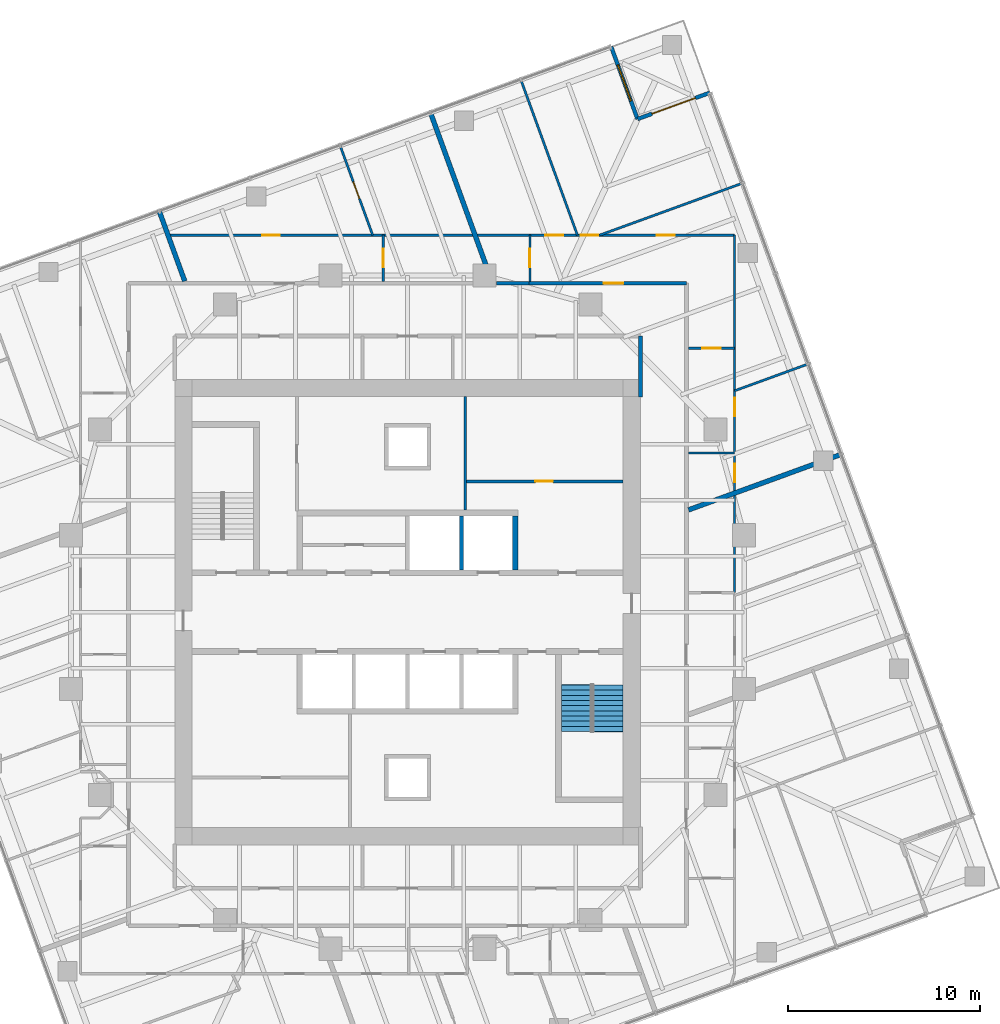
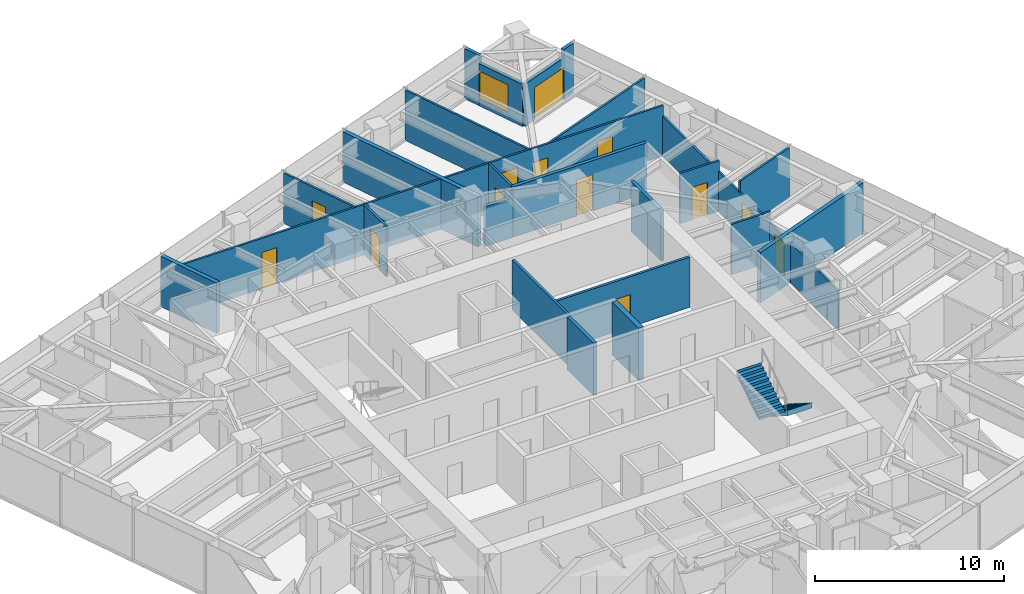
# One storey, part 11 of 13: 24 walls, 13 doors, 2 stair flights, 1 window, 14 openings, 1 element without a shape of its own.
"""IFC4 building model written with IfcOpenShell, lengths in metres."""

import ifcopenshell
import ifcopenshell.guid

model = None  # the IFC model being written
_history = None  # IfcOwnerHistory: only IFC2X3 demands one
_inside = {}  # id of a spatial element -> (the spatial element, [elements in it])
_under = {}  # id of a project, library or spatial element -> (it, [spatial elements below it])
_declared = {}  # id of a project -> (the project, [libraries it declares])
_typed = {}  # id of a type object -> (the type object, [elements of that type])
_made_of = {}  # id of a material, layer set ... -> (it, [elements and type objects made of it])


def new_model(schema):
    """Start an empty IFC model of exactly this schema.

    Asked for "IFC4X3", IfcOpenShell would pick the latest addendum, in which some entities
    have other attributes; the version numbers below select the first issue.
    IFC2X3 requires an IfcOwnerHistory on every rooted entity: one is made here for all.
    """
    global model, _history
    if schema == "IFC4X3":
        model = ifcopenshell.file(schema_version=(4, 3, 0, 0))
    else:
        model = ifcopenshell.file(schema=schema)
    _inside.clear()
    _under.clear()
    _declared.clear()
    _typed.clear()
    _made_of.clear()
    _history = None
    if model.schema == "IFC2X3":
        org = make("IfcOrganization", Name="unknown")
        user = make(
            "IfcPersonAndOrganization",
            ThePerson=make("IfcPerson", FamilyName="unknown"),
            TheOrganization=org,
        )
        app = make(
            "IfcApplication",
            ApplicationDeveloper=org,
            Version="unknown",
            ApplicationFullName="unknown",
            ApplicationIdentifier="unknown",
        )
        _history = make(
            "IfcOwnerHistory",
            OwningUser=user,
            OwningApplication=app,
            ChangeAction="ADDED",
            CreationDate=0,
        )
    return model


def make(cls, **values):
    """One entity of the class cls with the attributes given. An attribute that is None is left unset."""
    return model.create_entity(
        cls, **{name: value for name, value in values.items() if value is not None}
    )


def rooted(cls, **values):
    """An entity with a GlobalId (a new one), such as an element, a storey or a relation."""
    return make(cls, GlobalId=ifcopenshell.guid.new(), OwnerHistory=_history, **values)


def si_unit(unit_type, name, prefix=None):
    """IfcSIUnit, for example si_unit("LENGTHUNIT", "METRE", prefix="MILLI")."""
    return make("IfcSIUnit", UnitType=unit_type, Prefix=prefix, Name=name)


def assignment(units):
    """IfcUnitAssignment: the units of a project."""
    return None if units is None else make("IfcUnitAssignment", Units=units)


def point(xyz):
    """IfcCartesianPoint."""
    return None if xyz is None else make("IfcCartesianPoint", Coordinates=xyz)


def direction(xyz):
    """IfcDirection."""
    return None if xyz is None else make("IfcDirection", DirectionRatios=xyz)


def frame(location, z_axis=None, x_axis=None):
    """IfcAxis2Placement3D, a coordinate frame: its origin and axes. An axis left out is left unset."""
    return make(
        "IfcAxis2Placement3D",
        Location=point(location),
        Axis=direction(z_axis),
        RefDirection=direction(x_axis),
    )


def frame_2d(location, x_axis=None):
    """IfcAxis2Placement2D, a coordinate frame in the plane: its origin and x axis."""
    return make(
        "IfcAxis2Placement2D", Location=point(location), RefDirection=direction(x_axis)
    )


def origin():
    """The frame at (0, 0, 0) with its axes left unset."""
    return frame((0.0, 0.0, 0.0))


def place(relative_to, where):
    """IfcLocalPlacement: puts the frame where relative to a parent placement (None: the world)."""
    return make(
        "IfcLocalPlacement", PlacementRelTo=relative_to, RelativePlacement=where
    )


def context(
    kind, dimensions, precision=None, world=None, true_north=None, identifier=None
):
    """IfcGeometricRepresentationContext, for example the 3D "Model" context."""
    return make(
        "IfcGeometricRepresentationContext",
        ContextIdentifier=identifier,
        ContextType=kind,
        CoordinateSpaceDimension=dimensions,
        Precision=precision,
        WorldCoordinateSystem=world,
        TrueNorth=true_north,
    )


def subcontext(parent, identifier, kind, view, scale=None):
    """IfcGeometricRepresentationSubContext, for example "Body" below "Model"."""
    return make(
        "IfcGeometricRepresentationSubContext",
        ContextIdentifier=identifier,
        ContextType=kind,
        ParentContext=parent,
        TargetScale=scale,
        TargetView=view,
    )


def project(units=None, contexts=None):
    """IfcProject with its units and contexts."""
    return rooted(
        "IfcProject",
        Name="project",
        RepresentationContexts=contexts,
        UnitsInContext=assignment(units),
    )


def spatial(cls, under=None, at=None, **own):
    """A site, building, storey or space (cls), placed at a placement, below another one or the project."""
    s = rooted(cls, ObjectPlacement=at, **own)
    if under is not None:
        _under.setdefault(under.id(), (under, []))[1].append(s)
    return s


def polyline(points):
    """IfcPolyline through the points."""
    return make("IfcPolyline", Points=[point(p) for p in points])


def profile(cls, at=None, kind="AREA", **sizes):
    """A parametric profile (cls). Its sizes go by their IFC names, for example OverallWidth=200.0."""
    return make(cls, ProfileType=kind, Position=at, **sizes)


def rectangle(**sizes):
    """IfcRectangleProfileDef."""
    return profile("IfcRectangleProfileDef", **sizes)


def outline(outer, holes=None, kind="AREA"):
    """IfcArbitraryClosedProfileDef: a profile drawn as a closed curve; with holes, ...WithVoids."""
    if holes is None:
        return make("IfcArbitraryClosedProfileDef", ProfileType=kind, OuterCurve=outer)
    return make(
        "IfcArbitraryProfileDefWithVoids",
        ProfileType=kind,
        OuterCurve=outer,
        InnerCurves=holes,
    )


def extrude(swept, where, along, depth):
    """IfcExtrudedAreaSolid: the profile swept, set in the frame where, extruded along a direction by depth."""
    return make(
        "IfcExtrudedAreaSolid",
        SweptArea=swept,
        Position=where,
        ExtrudedDirection=direction(along),
        Depth=depth,
    )


def shape(context_of_items, identifier, shape_type, items):
    """IfcShapeRepresentation: the items that make up one representation, for example the "Body"."""
    return make(
        "IfcShapeRepresentation",
        ContextOfItems=context_of_items,
        RepresentationIdentifier=identifier,
        RepresentationType=shape_type,
        Items=items,
    )


def material(Name=None, Category=None):
    """IfcMaterial."""
    return make("IfcMaterial", Name=Name, Category=Category)


def layer(
    of_material, thickness, ventilated=None, Name=None, Category=None, Priority=None
):
    """IfcMaterialLayer: one layer of a wall or slab, of a material (None: an air gap)."""
    return make(
        "IfcMaterialLayer",
        Material=of_material,
        LayerThickness=thickness,
        IsVentilated=ventilated,
        Name=Name,
        Category=Category,
        Priority=Priority,
    )


def layer_set(layers, Name=None):
    """IfcMaterialLayerSet."""
    return make("IfcMaterialLayerSet", MaterialLayers=layers, LayerSetName=Name)


def made_of(thing, what):
    """Note that an element or type object is made of a material, layer set ...; save() writes the relation."""
    if what is not None:
        _made_of.setdefault(what.id(), (what, []))[1].append(thing)
    return thing


def type_object(cls, material=None, **own):
    """A type object (cls), such as IfcWallType, which elements share."""
    return made_of(rooted(cls, **own), material)


def element(
    cls,
    number,
    at=None,
    inside=None,
    cuts=None,
    type_object=None,
    material=None,
    context=None,
    identifier="Body",
    shape_type=None,
    held_by="IfcProductDefinitionShape",
    body=None,
    shapes=None,
    **own,
):
    """One element of the class cls, such as IfcWall. Its Tag is "e" and its number.

    at: its placement. inside: the storey or other place that contains it. cuts: it is an
    opening in that element (IfcRelVoidsElement). A single representation is given by context,
    identifier, shape_type and body (its items); several are given by shapes. held_by: the class
    of the entity that holds the representations. save() writes the other relations.
    """
    e = rooted(cls, Tag="e%d" % number, ObjectPlacement=at, **own)
    if body is not None:
        shapes = [shape(context, identifier, shape_type, body)]
    if shapes is not None:
        e.Representation = make(held_by, Representations=shapes)
    if inside is not None:
        _inside.setdefault(inside.id(), (inside, []))[1].append(e)
    if cuts is not None:
        rooted(
            "IfcRelVoidsElement", RelatingBuildingElement=cuts, RelatedOpeningElement=e
        )
    if type_object is not None:
        _typed.setdefault(type_object.id(), (type_object, []))[1].append(e)
    return made_of(e, material)


def fill(opening, filler):
    """IfcRelFillsElement: the door or window that sits in an opening."""
    return rooted(
        "IfcRelFillsElement",
        RelatingOpeningElement=opening,
        RelatedBuildingElement=filler,
    )


def aggregate(whole, parts):
    """IfcRelAggregates: a whole, such as a stair, and the parts it consists of."""
    return rooted("IfcRelAggregates", RelatingObject=whole, RelatedObjects=parts)


def save(model, path):
    """Write the relations noted so far, then the file.

    IfcRelAggregates (storeys below a building ...), IfcRelContainedInSpatialStructure (elements
    in a storey), IfcRelDefinesByType, IfcRelAssociatesMaterial and IfcRelDeclares: one each for
    every whole, place, type object, material and project.
    """
    for whole, parts in _under.values():
        aggregate(whole, parts)
    for where, things in _inside.values():
        rooted(
            "IfcRelContainedInSpatialStructure",
            RelatedElements=things,
            RelatingStructure=where,
        )
    for kind, things in _typed.values():
        rooted("IfcRelDefinesByType", RelatedObjects=things, RelatingType=kind)
    for what, things in _made_of.values():
        rooted("IfcRelAssociatesMaterial", RelatedObjects=things, RelatingMaterial=what)
    for by, libraries in _declared.values():
        rooted("IfcRelDeclares", RelatingContext=by, RelatedDefinitions=libraries)
    model.write(path)


model = new_model("IFC4")

# Units and contexts
model_context = context("Model", 3, precision=1e-05, world=origin(), true_north=direction((0.0, 1.0)))
body_context = subcontext(model_context, "Body", "Model", "MODEL_VIEW")
ifc_project = project(units=[si_unit("LENGTHUNIT", "METRE"), si_unit("AREAUNIT", "SQUARE_METRE"), si_unit("VOLUMEUNIT", "CUBIC_METRE"), si_unit("PLANEANGLEUNIT", "RADIAN"), si_unit("MASSUNIT", "GRAM", prefix="KILO")], contexts=[model_context])

# Site, building, storey
site_placement = place(None, origin())
site = spatial("IfcSite", under=ifc_project, at=site_placement, CompositionType="ELEMENT")
building_placement = place(site_placement, origin())
building = spatial("IfcBuilding", under=site, at=building_placement, Name="Torsade Residences", CompositionType="ELEMENT")
storey_placement = place(building_placement, frame((0.0, 0.0, 160.800048828125)))
storey = spatial("IfcBuildingStorey", under=building, at=storey_placement, Name="L44", CompositionType="ELEMENT", Elevation=160.800048828125)

# Wall
ifc_material_1 = material(Name="Concrete 80 MPa", Category="concrete")
ifc_layer_1 = layer(ifc_material_1, 0.300048828125)
ifc_layer_set_1 = layer_set([ifc_layer_1], Name="Concrete 80 MPa")
wall_type_1 = type_object("IfcWallType", Name="CORE INTERNAL WALL 300", PredefinedType="SHEAR", material=ifc_layer_set_1)
wall_1_placement = place(storey_placement, frame((45.60009765625, 32.199951171875, 0.0), z_axis=(0.0, 0.0, 1.0), x_axis=(0.0, 1.0, 0.0)))
element("IfcWall", 1, at=wall_1_placement, inside=storey, type_object=wall_type_1, Name="Core wall DN4 L44", PredefinedType="SHEAR", context=body_context, shape_type="SweptSolid", body=[
    extrude(rectangle(XDim=2.800048828125, YDim=0.300048828125, at=frame_2d((1.39990234375, 0.0))), origin(), (0.0, 0.0, 1.0), 3.39990234375),
])

# Wall, opening, door
ifc_material_2 = material(Name="Plasterboard on steel stud", Category="steel")
ifc_layer_2 = layer(ifc_material_2, 0.199951171875)
ifc_layer_set_2 = layer_set([ifc_layer_2], Name="Plasterboard on steel stud")
wall_type_2 = type_object("IfcWallType", Name="CORRIDOR WALL 200", PredefinedType="PARTITIONING", material=ifc_layer_set_2)
wall_2_placement = place(storey_placement, frame((54.5, 47.10009765625, 0.0), z_axis=(0.0, 0.0, 1.0), x_axis=(-1.0, 0.0, 0.0)))
wall_2 = element("IfcWall", 2, at=wall_2_placement, inside=storey, type_object=wall_type_2, Name="Corridor wall L44", PredefinedType="PARTITIONING", context=body_context, shape_type="SweptSolid", body=[
    extrude(rectangle(XDim=8.191650390625, YDim=0.199951171875, at=frame_2d((4.095703125, 0.0))), origin(), (0.0, 0.0, 1.0), 3.25),
])
opening_1_placement = place(wall_2_placement, frame((3.28466796875, 0.0, 0.0)))
opening_1 = element("IfcOpeningElement", 3, at=opening_1_placement, cuts=wall_2, Name="Opening D01", PredefinedType="OPENING", context=body_context, shape_type="SweptSolid", body=[
    extrude(rectangle(XDim=1.02001953125, YDim=2.340087890625, at=frame_2d((0.510009765625, 1.169921875))), frame((0.0, 0.10986328125, 0.0), z_axis=(0.0, -1.0, 0.0), x_axis=(1.0, 0.0, 0.0)), (0.0, 0.0, 1.0), 0.219970703125),
])
ifc_material_3 = material(Name="Solid-core timber fire door", Category="wood")
door_type_1 = type_object("IfcDoorType", Name="APARTMENT ENTRY DOOR 1020x2340", OperationType="NOTDEFINED", PredefinedType="DOOR", material=ifc_material_3)
door_1_placement = place(opening_1_placement, origin())
door_1 = element("IfcDoor", 4, at=door_1_placement, inside=storey, type_object=door_type_1, Name="Door Residential corridor to Kitchen and dining", OperationType="SINGLE_SWING_RIGHT", OverallHeight=2.340087890625, OverallWidth=1.02001953125, PredefinedType="DOOR", context=body_context, shape_type="SweptSolid", body=[
    extrude(rectangle(XDim=1.02001953125, YDim=2.340087890625, at=frame_2d((0.510009765625, 1.169921875))), frame((0.0, 0.02490234375, 0.0), z_axis=(0.0, -1.0, 0.0), x_axis=(1.0, 0.0, 0.0)), (0.0, 0.0, 1.0), 0.050048828125),
])
fill(opening_1, door_1)

# Walls
wall_3_placement = place(storey_placement, frame((46.308349609375, 47.10009765625, 0.0), z_axis=(0.0, 0.0, 1.0), x_axis=(-1.0, 0.0, 0.0)))
element("IfcWall", 5, at=wall_3_placement, inside=storey, type_object=wall_type_2, Name="Corridor wall L44", PredefinedType="PARTITIONING", context=body_context, shape_type="SweptSolid", body=[
    extrude(rectangle(XDim=1.683349609375, YDim=0.199951171875, at=frame_2d((0.841796875, 0.0))), origin(), (0.0, 0.0, 1.0), 2.550048828125),
])
wall_4_placement = place(storey_placement, frame((52.10009765625, 41.179931640625, 0.0), z_axis=(0.0, 0.0, 1.0), x_axis=(0.0, 1.0, 0.0)))
element("IfcWall", 6, at=wall_4_placement, inside=storey, type_object=wall_type_2, Name="Corridor wall L44", PredefinedType="PARTITIONING", context=body_context, shape_type="SweptSolid", body=[
    extrude(rectangle(XDim=3.170166015625, YDim=0.199951171875, at=frame_2d((1.5849609375, 0.0))), origin(), (0.0, 0.0, 1.0), 3.25),
])
ifc_material_4 = material(Name="Reinforced blockwork", Category="masonry")
ifc_layer_3 = layer(ifc_material_4, 0.199951171875)
ifc_layer_set_3 = layer_set([ifc_layer_3], Name="Reinforced blockwork")
wall_type_3 = type_object("IfcWallType", Name="LIFT SHAFT DIVIDING WALL 200", PredefinedType="SOLIDWALL", material=ifc_layer_set_3)
wall_5_placement = place(storey_placement, frame((42.800048828125, 32.199951171875, 0.0), z_axis=(0.0, 0.0, 1.0), x_axis=(0.0, 1.0, 0.0)))
element("IfcWall", 7, at=wall_5_placement, inside=storey, type_object=wall_type_3, Name="Core wall DN3 L44", PredefinedType="SOLIDWALL", context=body_context, shape_type="SweptSolid", body=[
    extrude(rectangle(XDim=2.800048828125, YDim=0.199951171875, at=frame_2d((1.39990234375, 0.0))), origin(), (0.0, 0.0, 1.0), 3.39990234375),
])

# Wall, openings, doors
ifc_material_5 = material(Name="Plasterboard on steel stud", Category="steel")
ifc_layer_4 = layer(ifc_material_5, 0.1201171875)
ifc_layer_set_4 = layer_set([ifc_layer_4], Name="Plasterboard on steel stud")
wall_type_4 = type_object("IfcWallType", Name="PARTITION 120", PredefinedType="PARTITIONING", material=ifc_layer_set_4)
wall_6_placement = place(storey_placement, frame((57.0, 49.60009765625, 0.0), z_axis=(0.0, 0.0, 1.0), x_axis=(0.0, -1.0, 0.0)))
wall_6 = element("IfcWall", 8, at=wall_6_placement, inside=storey, type_object=wall_type_4, Name="Partition L44", PredefinedType="PARTITIONING", context=body_context, shape_type="SweptSolid", body=[
    extrude(rectangle(XDim=18.588623046875, YDim=0.1201171875, at=frame_2d((9.29443359375, 0.0))), origin(), (0.0, 0.0, 1.0), 2.550048828125),
])
opening_2_placement = place(wall_6_placement, frame((8.45166015625, 0.0, 0.0)))
opening_2 = element("IfcOpeningElement", 9, at=opening_2_placement, cuts=wall_6, Name="Opening D05", PredefinedType="OPENING", context=body_context, shape_type="SweptSolid", body=[
    extrude(rectangle(XDim=0.9599609375, YDim=2.10009765625, at=frame_2d((0.47998046875, 1.050048828125))), frame((0.0, 0.070068359375, 0.0), z_axis=(0.0, -1.0, 0.0), x_axis=(1.0, 0.0, 0.0)), (0.0, 0.0, 1.0), 0.14013671875),
])
opening_3_placement = place(wall_6_placement, frame((11.888671875, 0.0, 0.0)))
opening_3 = element("IfcOpeningElement", 10, at=opening_3_placement, cuts=wall_6, Name="Opening D05", PredefinedType="OPENING", context=body_context, shape_type="SweptSolid", body=[
    extrude(rectangle(XDim=0.9599609375, YDim=2.10009765625, at=frame_2d((0.47998046875, 1.050048828125))), frame((0.0, 0.070068359375, 0.0), z_axis=(0.0, -1.0, 0.0), x_axis=(1.0, 0.0, 0.0)), (0.0, 0.0, 1.0), 0.14013671875),
])
ifc_material_6 = material(Name="Hollow-core timber door in a steel cavity frame", Category="steel")
door_type_2 = type_object("IfcDoorType", Name="BATHROOM CAVITY SLIDING DOOR 960", OperationType="SLIDING_TO_LEFT", PredefinedType="DOOR", material=ifc_material_6)
door_2_placement = place(opening_2_placement, origin())
door_2 = element("IfcDoor", 11, at=door_2_placement, inside=storey, type_object=door_type_2, Name="Door Bathroom to Bedroom 3", OperationType="SLIDING_TO_LEFT", OverallHeight=2.10009765625, OverallWidth=0.9599609375, PredefinedType="DOOR", context=body_context, shape_type="SweptSolid", body=[
    extrude(rectangle(XDim=0.9599609375, YDim=2.10009765625, at=frame_2d((0.47998046875, 1.050048828125))), frame((0.0, 0.02490234375, 0.0), z_axis=(0.0, -1.0, 0.0), x_axis=(1.0, 0.0, 0.0)), (0.0, 0.0, 1.0), 0.050048828125),
])
fill(opening_2, door_2)
door_3_placement = place(opening_3_placement, origin())
door_3 = element("IfcDoor", 12, at=door_3_placement, inside=storey, type_object=door_type_2, Name="Door Bedroom 3 to Ensuite", OperationType="SLIDING_TO_LEFT", OverallHeight=2.10009765625, OverallWidth=0.9599609375, PredefinedType="DOOR", context=body_context, shape_type="SweptSolid", body=[
    extrude(rectangle(XDim=0.9599609375, YDim=2.10009765625, at=frame_2d((0.47998046875, 1.050048828125))), frame((0.0, 0.02490234375, 0.0), z_axis=(0.0, -1.0, 0.0), x_axis=(1.0, 0.0, 0.0)), (0.0, 0.0, 1.0), 0.050048828125),
])
fill(opening_3, door_3)

# Wall, opening, door
wall_7_placement = place(storey_placement, frame((57.0, 43.712158203125, 0.0), z_axis=(0.0, 0.0, 1.0), x_axis=(-1.0, 0.0, 0.0)))
wall_7 = element("IfcWall", 13, at=wall_7_placement, inside=storey, type_object=wall_type_4, Name="Partition L44", PredefinedType="PARTITIONING", context=body_context, shape_type="SweptSolid", body=[
    extrude(rectangle(XDim=2.39990234375, YDim=0.1201171875, at=frame_2d((1.199951171875, 0.0))), origin(), (0.0, 0.0, 1.0), 3.25),
])
opening_4_placement = place(wall_7_placement, frame((0.719970703125, 0.0, 0.0)))
opening_4 = element("IfcOpeningElement", 14, at=opening_4_placement, cuts=wall_7, Name="Opening D05", PredefinedType="OPENING", context=body_context, shape_type="SweptSolid", body=[
    extrude(rectangle(XDim=0.9599609375, YDim=2.10009765625, at=frame_2d((0.47998046875, 1.050048828125))), frame((0.0, 0.070068359375, 0.0), z_axis=(0.0, -1.0, 0.0), x_axis=(1.0, 0.0, 0.0)), (0.0, 0.0, 1.0), 0.14013671875),
])
door_4_placement = place(opening_4_placement, origin())
door_4 = element("IfcDoor", 15, at=door_4_placement, inside=storey, type_object=door_type_2, Name="Door Kitchen and dining to Bathroom", OperationType="SLIDING_TO_LEFT", OverallHeight=2.10009765625, OverallWidth=0.9599609375, PredefinedType="DOOR", context=body_context, shape_type="SweptSolid", body=[
    extrude(rectangle(XDim=0.9599609375, YDim=2.10009765625, at=frame_2d((0.47998046875, 1.050048828125))), frame((0.0, 0.02490234375, 0.0), z_axis=(0.0, -1.0, 0.0), x_axis=(1.0, 0.0, 0.0)), (0.0, 0.0, 1.0), 0.050048828125),
])
fill(opening_4, door_4)

wall_8_placement = place(storey_placement, frame((46.360595703125, 47.199951171875, 0.0), z_axis=(0.0, 0.0, 1.0), x_axis=(0.0, 1.0, 0.0)))
wall_8 = element("IfcWall", 16, at=wall_8_placement, inside=storey, type_object=wall_type_4, Name="Partition L44", PredefinedType="PARTITIONING", context=body_context, shape_type="SweptSolid", body=[
    extrude(rectangle(XDim=2.400146484375, YDim=0.1201171875, at=frame_2d((1.2001953125, 0.0))), origin(), (0.0, 0.0, 1.0), 3.25),
])
opening_5_placement = place(wall_8_placement, frame((0.719970703125, 0.0, 0.0)))
opening_5 = element("IfcOpeningElement", 17, at=opening_5_placement, cuts=wall_8, Name="Opening D05", PredefinedType="OPENING", context=body_context, shape_type="SweptSolid", body=[
    extrude(rectangle(XDim=0.9599609375, YDim=2.10009765625, at=frame_2d((0.47998046875, 1.050048828125))), frame((0.0, 0.070068359375, 0.0), z_axis=(0.0, -1.0, 0.0), x_axis=(1.0, 0.0, 0.0)), (0.0, 0.0, 1.0), 0.14013671875),
])
door_5_placement = place(opening_5_placement, origin())
door_5 = element("IfcDoor", 18, at=door_5_placement, inside=storey, type_object=door_type_2, Name="Door Kitchen and dining to Laundry", OperationType="SLIDING_TO_LEFT", OverallHeight=2.10009765625, OverallWidth=0.9599609375, PredefinedType="DOOR", context=body_context, shape_type="SweptSolid", body=[
    extrude(rectangle(XDim=0.9599609375, YDim=2.10009765625, at=frame_2d((0.47998046875, 1.050048828125))), frame((0.0, 0.02490234375, 0.0), z_axis=(0.0, -1.0, 0.0), x_axis=(1.0, 0.0, 0.0)), (0.0, 0.0, 1.0), 0.050048828125),
])
fill(opening_5, door_5)

# Wall, openings, doors
wall_9_placement = place(storey_placement, frame((27.54541015625, 49.60009765625, 0.0), z_axis=(0.0, 0.0, 1.0), x_axis=(1.0, 0.0, 0.0)))
wall_9 = element("IfcWall", 19, at=wall_9_placement, inside=storey, type_object=wall_type_4, Name="Partition L44", PredefinedType="PARTITIONING", context=body_context, shape_type="SweptSolid", body=[
    extrude(rectangle(XDim=29.45458984375, YDim=0.1201171875, at=frame_2d((14.727294921875, 0.0))), origin(), (0.0, 0.0, 1.0), 3.25),
])
opening_6_placement = place(wall_9_placement, frame((4.887451171875, 0.0, 0.0)))
opening_6 = element("IfcOpeningElement", 20, at=opening_6_placement, cuts=wall_9, Name="Opening D02", PredefinedType="OPENING", context=body_context, shape_type="SweptSolid", body=[
    extrude(rectangle(XDim=0.919921875, YDim=2.340087890625, at=frame_2d((0.4599609375, 1.169921875))), frame((0.0, 0.070068359375, 0.0), z_axis=(0.0, -1.0, 0.0), x_axis=(1.0, 0.0, 0.0)), (0.0, 0.0, 1.0), 0.14013671875),
])
opening_7_placement = place(wall_9_placement, frame((25.418212890625, 0.0, 0.0)))
opening_7 = element("IfcOpeningElement", 21, at=opening_7_placement, cuts=wall_9, Name="Opening D02", PredefinedType="OPENING", context=body_context, shape_type="SweptSolid", body=[
    extrude(rectangle(XDim=0.919921875, YDim=2.340087890625, at=frame_2d((0.4599609375, 1.169921875))), frame((0.0, 0.070068359375, 0.0), z_axis=(0.0, -1.0, 0.0), x_axis=(1.0, 0.0, 0.0)), (0.0, 0.0, 1.0), 0.14013671875),
])
opening_8_placement = place(wall_9_placement, frame((19.615966796875, 0.0, 0.0)))
opening_8 = element("IfcOpeningElement", 22, at=opening_8_placement, cuts=wall_9, Name="Opening D02", PredefinedType="OPENING", context=body_context, shape_type="SweptSolid", body=[
    extrude(rectangle(XDim=0.919921875, YDim=2.340087890625, at=frame_2d((0.4599609375, 1.169921875))), frame((0.0, 0.070068359375, 0.0), z_axis=(0.0, -1.0, 0.0), x_axis=(1.0, 0.0, 0.0)), (0.0, 0.0, 1.0), 0.14013671875),
])
opening_9_placement = place(wall_9_placement, frame((21.452392578125, 0.0, 0.0)))
opening_9 = element("IfcOpeningElement", 23, at=opening_9_placement, cuts=wall_9, Name="Opening D02", PredefinedType="OPENING", context=body_context, shape_type="SweptSolid", body=[
    extrude(rectangle(XDim=0.919921875, YDim=2.340087890625, at=frame_2d((0.4599609375, 1.169921875))), frame((0.0, 0.070068359375, 0.0), z_axis=(0.0, -1.0, 0.0), x_axis=(1.0, 0.0, 0.0)), (0.0, 0.0, 1.0), 0.14013671875),
])
ifc_material_7 = material(Name="Hollow-core timber door", Category="wood")
door_type_3 = type_object("IfcDoorType", Name="INTERNAL DOOR 920x2340", OperationType="NOTDEFINED", PredefinedType="DOOR", material=ifc_material_7)
door_6_placement = place(opening_6_placement, origin())
door_6 = element("IfcDoor", 24, at=door_6_placement, inside=storey, type_object=door_type_3, Name="Door Kitchen and dining to Living room", OperationType="SINGLE_SWING_RIGHT", OverallHeight=2.340087890625, OverallWidth=0.919921875, PredefinedType="DOOR", context=body_context, shape_type="SweptSolid", body=[
    extrude(rectangle(XDim=0.919921875, YDim=2.340087890625, at=frame_2d((0.4599609375, 1.169921875))), frame((0.0, 0.02490234375, 0.0), z_axis=(0.0, -1.0, 0.0), x_axis=(1.0, 0.0, 0.0)), (0.0, 0.0, 1.0), 0.050048828125),
])
fill(opening_6, door_6)
door_7_placement = place(opening_7_placement, origin())
door_7 = element("IfcDoor", 25, at=door_7_placement, inside=storey, type_object=door_type_3, Name="Door Kitchen and dining to Bedroom 2", OperationType="SINGLE_SWING_LEFT", OverallHeight=2.340087890625, OverallWidth=0.919921875, PredefinedType="DOOR", context=body_context, shape_type="SweptSolid", body=[
    extrude(rectangle(XDim=0.919921875, YDim=2.340087890625, at=frame_2d((0.4599609375, 1.169921875))), frame((0.0, 0.02490234375, 0.0), z_axis=(0.0, -1.0, 0.0), x_axis=(1.0, 0.0, 0.0)), (0.0, 0.0, 1.0), 0.050048828125),
])
fill(opening_7, door_7)
door_8_placement = place(opening_8_placement, origin())
door_8 = element("IfcDoor", 26, at=door_8_placement, inside=storey, type_object=door_type_3, Name="Door Kitchen and dining to Bedroom 1", OperationType="SINGLE_SWING_RIGHT", OverallHeight=2.340087890625, OverallWidth=0.919921875, PredefinedType="DOOR", context=body_context, shape_type="SweptSolid", body=[
    extrude(rectangle(XDim=0.919921875, YDim=2.340087890625, at=frame_2d((0.4599609375, 1.169921875))), frame((0.0, 0.02490234375, 0.0), z_axis=(0.0, -1.0, 0.0), x_axis=(1.0, 0.0, 0.0)), (0.0, 0.0, 1.0), 0.050048828125),
])
fill(opening_8, door_8)
door_9_placement = place(opening_9_placement, origin())
door_9 = element("IfcDoor", 27, at=door_9_placement, inside=storey, type_object=door_type_3, Name="Door Kitchen and dining to Living room", OperationType="SINGLE_SWING_LEFT", OverallHeight=2.340087890625, OverallWidth=0.919921875, PredefinedType="DOOR", context=body_context, shape_type="SweptSolid", body=[
    extrude(rectangle(XDim=0.919921875, YDim=2.340087890625, at=frame_2d((0.4599609375, 1.169921875))), frame((0.0, 0.02490234375, 0.0), z_axis=(0.0, -1.0, 0.0), x_axis=(1.0, 0.0, 0.0)), (0.0, 0.0, 1.0), 0.050048828125),
])
fill(opening_9, door_9)

# Walls
wall_10_placement = place(storey_placement, frame((57.0, 38.27490234375, 0.0), z_axis=(0.0, 0.0, 1.0), x_axis=(-1.0, 0.0, 0.0)))
element("IfcWall", 28, at=wall_10_placement, inside=storey, type_object=wall_type_4, Name="Partition L44", PredefinedType="PARTITIONING", context=body_context, shape_type="SweptSolid", body=[
    extrude(rectangle(XDim=2.39990234375, YDim=0.1201171875, at=frame_2d((1.199951171875, 0.0))), origin(), (0.0, 0.0, 1.0), 3.25),
])
wall_11_placement = place(storey_placement, frame((48.828857421875, 49.60009765625, 0.0), z_axis=(0.0, 0.0, 1.0), x_axis=(-0.34202238111, 0.939691806296, 0.0)))
element("IfcWall", 29, at=wall_11_placement, inside=storey, type_object=wall_type_4, Name="Partition L44", PredefinedType="PARTITIONING", context=body_context, shape_type="SweptSolid", body=[
    extrude(rectangle(XDim=8.5615234375, YDim=0.1201171875, at=frame_2d((4.28076171875, 0.0))), origin(), (0.0, 0.0, 1.0), 3.25),
])
wall_12_placement = place(storey_placement, frame((57.384765625, 52.290283203125, 0.0), z_axis=(0.0, 0.0, 1.0), x_axis=(-0.939694604347, -0.342014693486, 0.0)))
element("IfcWall", 30, at=wall_12_placement, inside=storey, type_object=wall_type_4, Name="Partition L44", PredefinedType="PARTITIONING", context=body_context, shape_type="SweptSolid", body=[
    extrude(rectangle(XDim=7.86572265625, YDim=0.1201171875, at=frame_2d((3.932861328125, 0.0))), origin(), (0.0, 0.0, 1.0), 3.25),
])
wall_13_placement = place(storey_placement, frame((60.804931640625, 42.893310546875, 0.0), z_axis=(0.0, 0.0, 1.0), x_axis=(-0.939682468191, -0.342048036063, 0.0)))
element("IfcWall", 31, at=wall_13_placement, inside=storey, type_object=wall_type_4, Name="Partition L44", PredefinedType="PARTITIONING", context=body_context, shape_type="SweptSolid", body=[
    extrude(rectangle(XDim=4.049072265625, YDim=0.1201171875, at=frame_2d((2.0244140625, 0.0))), origin(), (0.0, 0.0, 1.0), 3.25),
])

# Wall, opening, door
wall_14_placement = place(storey_placement, frame((38.7412109375, 49.60009765625, 0.0), z_axis=(0.0, 0.0, 1.0), x_axis=(0.0, -1.0, 0.0)))
wall_14 = element("IfcWall", 32, at=wall_14_placement, inside=storey, type_object=wall_type_4, Name="Partition L44", PredefinedType="PARTITIONING", context=body_context, shape_type="SweptSolid", body=[
    extrude(rectangle(XDim=2.400146484375, YDim=0.1201171875, at=frame_2d((1.2001953125, 0.0))), origin(), (0.0, 0.0, 1.0), 3.25),
])
opening_10_placement = place(wall_14_placement, frame((0.719970703125, 0.0, 0.0)))
opening_10 = element("IfcOpeningElement", 33, at=opening_10_placement, cuts=wall_14, Name="Opening D05", PredefinedType="OPENING", context=body_context, shape_type="SweptSolid", body=[
    extrude(rectangle(XDim=0.9599609375, YDim=2.10009765625, at=frame_2d((0.47998046875, 1.050048828125))), frame((0.0, 0.070068359375, 0.0), z_axis=(0.0, -1.0, 0.0), x_axis=(1.0, 0.0, 0.0)), (0.0, 0.0, 1.0), 0.14013671875),
])
door_10_placement = place(opening_10_placement, origin())
door_10 = element("IfcDoor", 34, at=door_10_placement, inside=storey, type_object=door_type_2, Name="Door Kitchen and dining to Bathroom", OperationType="SLIDING_TO_LEFT", OverallHeight=2.10009765625, OverallWidth=0.9599609375, PredefinedType="DOOR", context=body_context, shape_type="SweptSolid", body=[
    extrude(rectangle(XDim=0.9599609375, YDim=2.10009765625, at=frame_2d((0.47998046875, 1.050048828125))), frame((0.0, 0.02490234375, 0.0), z_axis=(0.0, -1.0, 0.0), x_axis=(1.0, 0.0, 0.0)), (0.0, 0.0, 1.0), 0.050048828125),
])
fill(opening_10, door_10)

wall_15_placement = place(storey_placement, frame((36.503662109375, 54.22509765625, 0.0), z_axis=(0.0, 0.0, 1.0), x_axis=(0.342017860496, -0.939693451665, 0.0)))
wall_15 = element("IfcWall", 35, at=wall_15_placement, inside=storey, type_object=wall_type_4, Name="Partition L44", PredefinedType="PARTITIONING", context=body_context, shape_type="SweptSolid", body=[
    extrude(rectangle(XDim=4.921875, YDim=0.1201171875, at=frame_2d((2.4609375, 0.0))), origin(), (0.0, 0.0, 1.0), 3.25),
])
opening_11_placement = place(wall_15_placement, frame((1.98095703125, 0.0, 0.0)))
opening_11 = element("IfcOpeningElement", 36, at=opening_11_placement, cuts=wall_15, Name="Opening D02", PredefinedType="OPENING", context=body_context, shape_type="SweptSolid", body=[
    extrude(rectangle(XDim=0.919921875, YDim=2.340087890625, at=frame_2d((0.4599609375, 1.169921875))), frame((0.0, 0.070068359375, 0.0), z_axis=(0.0, -1.0, 0.0), x_axis=(1.0, 0.0, 0.0)), (0.0, 0.0, 1.0), 0.14013671875),
])
door_11_placement = place(opening_11_placement, origin())
door_11 = element("IfcDoor", 37, at=door_11_placement, inside=storey, type_object=door_type_3, Name="Door Living room to Bedroom 1", OperationType="SINGLE_SWING_RIGHT", OverallHeight=2.340087890625, OverallWidth=0.919921875, PredefinedType="DOOR", context=body_context, shape_type="SweptSolid", body=[
    extrude(rectangle(XDim=0.919921875, YDim=2.340087890625, at=frame_2d((0.4599609375, 1.169921875))), frame((0.0, 0.02490234375, 0.0), z_axis=(0.0, -1.0, 0.0), x_axis=(1.0, 0.0, 0.0)), (0.0, 0.0, 1.0), 0.050048828125),
])
fill(opening_11, door_11)

# Walls
ifc_material_8 = material(Name="Masonry-lined stud party wall", Category="masonry")
ifc_layer_5 = layer(ifc_material_8, 0.25)
ifc_layer_set_5 = layer_set([ifc_layer_5], Name="Masonry-lined stud party wall")
wall_type_5 = type_object("IfcWallType", Name="PARTY WALL 250", PredefinedType="PARTITIONING", material=ifc_layer_set_5)
wall_16_placement = place(storey_placement, frame((62.552734375, 38.20849609375, 0.0), z_axis=(0.0, 0.0, 1.0), x_axis=(-0.939695617736, -0.342011909161, 0.0)))
element("IfcWall", 38, at=wall_16_placement, inside=storey, type_object=wall_type_5, Name="Party wall L44", PredefinedType="PARTITIONING", context=body_context, shape_type="SweptSolid", body=[
    extrude(rectangle(XDim=8.45751953125, YDim=0.25, at=frame_2d((4.228759765625, 0.0))), origin(), (0.0, 0.0, 1.0), 3.25),
])
wall_17_placement = place(storey_placement, frame((41.1884765625, 55.972900390625, 0.0), z_axis=(0.0, 0.0, 1.0), x_axis=(0.342014066156, -0.939694832673, 0.0)))
element("IfcWall", 39, at=wall_17_placement, inside=storey, type_object=wall_type_5, Name="Party wall L44", PredefinedType="PARTITIONING", context=body_context, shape_type="SweptSolid", body=[
    extrude(rectangle(XDim=9.33056640625, YDim=0.25, at=frame_2d((4.665283203125, 0.0))), origin(), (0.0, 0.0, 1.0), 3.25),
])
wall_18_placement = place(storey_placement, frame((27.093017578125, 50.842529296875, 0.0), z_axis=(0.0, 0.0, 1.0), x_axis=(0.342031698406, -0.939688415, 0.0)))
element("IfcWall", 40, at=wall_18_placement, inside=storey, type_object=wall_type_5, Name="Party wall L44", PredefinedType="PARTITIONING", context=body_context, shape_type="SweptSolid", body=[
    extrude(rectangle(XDim=3.870849609375, YDim=0.25, at=frame_2d((1.935546875, 0.0))), origin(), (0.0, 0.0, 1.0), 3.25),
])
ifc_material_9 = material(Name="Reinforced blockwork", Category="masonry")
ifc_layer_6 = layer(ifc_material_9, 0.14990234375)
ifc_layer_set_6 = layer_set([ifc_layer_6], Name="Reinforced blockwork")
wall_type_6 = type_object("IfcWallType", Name="SERVICE ROOM WALL 150", PredefinedType="SOLIDWALL", material=ifc_layer_set_6)
wall_19_placement = place(storey_placement, frame((43.0, 41.199951171875, 0.0), z_axis=(0.0, 0.0, 1.0), x_axis=(0.0, -1.0, 0.0)))
element("IfcWall", 41, at=wall_19_placement, inside=storey, type_object=wall_type_6, Name="Service room wall L44", PredefinedType="SOLIDWALL", context=body_context, shape_type="SweptSolid", body=[
    extrude(rectangle(XDim=5.89990234375, YDim=0.14990234375, at=frame_2d((2.949951171875, 0.0))), origin(), (0.0, 0.0, 1.0), 3.25),
])

# Wall, opening, door
wall_20_placement = place(storey_placement, frame((43.0, 36.800048828125, 0.0), z_axis=(0.0, 0.0, 1.0), x_axis=(1.0, 0.0, 0.0)))
wall_20 = element("IfcWall", 42, at=wall_20_placement, inside=storey, type_object=wall_type_6, Name="Service room wall L44", PredefinedType="SOLIDWALL", context=body_context, shape_type="SweptSolid", body=[
    extrude(rectangle(XDim=8.199951171875, YDim=0.14990234375, at=frame_2d((4.10009765625, 0.0))), origin(), (0.0, 0.0, 1.0), 3.25),
])
opening_12_placement = place(wall_20_placement, frame((3.639892578125, 0.0, 0.0)))
opening_12 = element("IfcOpeningElement", 43, at=opening_12_placement, cuts=wall_20, Name="Opening D06", PredefinedType="OPENING", context=body_context, shape_type="SweptSolid", body=[
    extrude(rectangle(XDim=0.919921875, YDim=2.10009765625, at=frame_2d((0.4599609375, 1.050048828125))), frame((0.0, 0.0849609375, 0.0), z_axis=(0.0, -1.0, 0.0), x_axis=(1.0, 0.0, 0.0)), (0.0, 0.0, 1.0), 0.169921875),
])
ifc_material_10 = material(Name="Steel-framed fire door", Category="steel")
door_type_4 = type_object("IfcDoorType", Name="FIRE DOOR 920", OperationType="NOTDEFINED", PredefinedType="DOOR", material=ifc_material_10)
door_12_placement = place(opening_12_placement, origin())
door_12 = element("IfcDoor", 44, at=door_12_placement, inside=storey, type_object=door_type_4, Name="Door Refuse room to Linen store", OperationType="SINGLE_SWING_LEFT", OverallHeight=2.10009765625, OverallWidth=0.919921875, PredefinedType="DOOR", context=body_context, shape_type="SweptSolid", body=[
    extrude(rectangle(XDim=0.919921875, YDim=2.10009765625, at=frame_2d((0.4599609375, 1.050048828125))), frame((0.0, 0.02490234375, 0.0), z_axis=(0.0, -1.0, 0.0), x_axis=(1.0, 0.0, 0.0)), (0.0, 0.0, 1.0), 0.050048828125),
])
fill(opening_12, door_12)

# Wall
ifc_material_11 = material(Name="Stone-faced precast concrete 40 MPa panel", Category="masonry")
ifc_layer_7 = layer(ifc_material_11, 0.199951171875)
ifc_layer_set_7 = layer_set([ifc_layer_7], Name="Stone-faced precast concrete 40 MPa panel")
wall_type_7 = type_object("IfcWallType", Name="TERRACE WALL 200", PredefinedType="SOLIDWALL", material=ifc_layer_set_7)
wall_21_placement = place(storey_placement, frame((55.712158203125, 57.00244140625, 0.0), z_axis=(0.0, 0.0, 1.0), x_axis=(-0.939659694648, -0.342110593602, 0.0)))
element("IfcWall", 45, at=wall_21_placement, inside=storey, type_object=wall_type_7, Name="Terrace wall L44 5", PredefinedType="SOLIDWALL", context=body_context, shape_type="SweptSolid", body=[
    extrude(rectangle(XDim=0.800048828125, YDim=0.199951171875, at=frame_2d((0.39990234375, 0.0))), origin(), (0.0, 0.0, 1.0), 3.25),
])

# Wall, opening, door
wall_22_placement = place(storey_placement, frame((54.96044921875, 56.728759765625, 0.0), z_axis=(0.0, 0.0, 1.0), x_axis=(-0.939693144909, -0.342018703306, 0.0)))
wall_22 = element("IfcWall", 46, at=wall_22_placement, inside=storey, type_object=wall_type_7, Name="Terrace wall L44 5", PredefinedType="SOLIDWALL", context=body_context, shape_type="SweptSolid", body=[
    extrude(rectangle(XDim=3.199951171875, YDim=0.199951171875, at=frame_2d((1.60009765625, 0.0))), origin(), (0.0, 0.0, 1.0), 2.721923828125),
])
opening_13_placement = place(wall_22_placement, origin())
opening_13 = element("IfcOpeningElement", 47, at=opening_13_placement, cuts=wall_22, Name="Opening D10A", PredefinedType="OPENING", context=body_context, shape_type="SweptSolid", body=[
    extrude(rectangle(XDim=2.39990234375, YDim=2.10009765625, at=frame_2d((1.199951171875, 1.050048828125))), frame((0.0, 0.10986328125, 0.0), z_axis=(0.0, -1.0, 0.0), x_axis=(1.0, 0.0, 0.0)), (0.0, 0.0, 1.0), 0.219970703125),
])
ifc_material_12 = material(Name="Aluminium-framed glass door", Category="aluminium")
door_type_5 = type_object("IfcDoorType", Name="TERRACE SLIDING DOOR 2400x2100", OperationType="SLIDING_TO_LEFT", PredefinedType="DOOR", material=ifc_material_12)
door_13_placement = place(opening_13_placement, origin())
door_13 = element("IfcDoor", 48, at=door_13_placement, inside=storey, type_object=door_type_5, Name="Terrace door L44 5", OperationType="SLIDING_TO_LEFT", OverallHeight=2.10009765625, OverallWidth=2.39990234375, PredefinedType="DOOR", context=body_context, shape_type="SweptSolid", body=[
    extrude(rectangle(XDim=2.39990234375, YDim=2.10009765625, at=frame_2d((1.199951171875, 1.050048828125))), frame((0.0, 0.02490234375, 0.0), z_axis=(0.0, -1.0, 0.0), x_axis=(1.0, 0.0, 0.0)), (0.0, 0.0, 1.0), 0.050048828125),
])
fill(opening_13, door_13)

# Wall, opening, window
wall_23_placement = place(storey_placement, frame((51.953369140625, 55.63427734375, 0.0), z_axis=(0.0, 0.0, 1.0), x_axis=(-0.341965219194, 0.939712609717, 0.0)))
wall_23 = element("IfcWall", 49, at=wall_23_placement, inside=storey, type_object=wall_type_7, Name="Terrace wall L44 6", PredefinedType="SOLIDWALL", context=body_context, shape_type="SweptSolid", body=[
    extrude(rectangle(XDim=3.0, YDim=0.199951171875, at=frame_2d((1.5, 0.0))), origin(), (0.0, 0.0, 1.0), 2.721923828125),
])
opening_14_placement = place(wall_23_placement, frame((1.0, 0.0, 0.449951171875)))
opening_14 = element("IfcOpeningElement", 50, at=opening_14_placement, cuts=wall_23, Name="Opening W1B", PredefinedType="OPENING", context=body_context, shape_type="SweptSolid", body=[
    extrude(rectangle(XDim=2.0, YDim=1.800048828125, at=frame_2d((1.0, 0.89990234375))), frame((0.0, 0.10986328125, 0.0), z_axis=(0.0, -1.0, 0.0), x_axis=(1.0, 0.0, 0.0)), (0.0, 0.0, 1.0), 0.219970703125),
])
ifc_material_13 = material(Name="Aluminium-framed glass window", Category="aluminium")
window_type = type_object("IfcWindowType", Name="TERRACE WINDOW 2000x1800", PartitioningType="SINGLE_PANEL", PredefinedType="WINDOW", material=ifc_material_13)
window_placement = place(opening_14_placement, origin())
window = element("IfcWindow", 51, at=window_placement, inside=storey, type_object=window_type, Name="Terrace window L44 6", OverallHeight=1.800048828125, OverallWidth=2.0, PartitioningType="SINGLE_PANEL", PredefinedType="WINDOW", context=body_context, shape_type="SweptSolid", body=[
    extrude(rectangle(XDim=2.0, YDim=1.800048828125, at=frame_2d((1.0, 0.89990234375))), frame((0.0, 0.030029296875, 0.0), z_axis=(0.0, -1.0, 0.0), x_axis=(1.0, 0.0, 0.0)), (0.0, 0.0, 1.0), 0.06005859375),
])
fill(opening_14, window)

# Wall
wall_24_placement = place(storey_placement, frame((50.927490234375, 58.453369140625, 0.0), z_axis=(0.0, 0.0, 1.0), x_axis=(-0.342037080957, 0.939686455819, 0.0)))
element("IfcWall", 52, at=wall_24_placement, inside=storey, type_object=wall_type_7, Name="Terrace wall L44 6", PredefinedType="SOLIDWALL", context=body_context, shape_type="SweptSolid", body=[
    extrude(rectangle(XDim=1.0, YDim=0.199951171875, at=frame_2d((0.5, 0.0))), origin(), (0.0, 0.0, 1.0), 3.25),
])

# Stair, stair flights
ifc_material_14 = material(Name="Precast concrete 40 MPa", Category="concrete")
stair_type = type_object("IfcStairType", Name="HALF-TURN FIRE STAIR 1500x3400", PredefinedType="HALF_TURN_STAIR", material=ifc_material_14)
stair_placement = place(storey_placement, origin())
stair = element("IfcStair", 53, at=stair_placement, inside=storey, type_object=stair_type, Name="Stair ST2 L44", PredefinedType="HALF_TURN_STAIR")
ifc_material_15 = material(Name="Precast concrete 40 MPa", Category="concrete")
stair_flight_type = type_object("IfcStairFlightType", Name="PRECAST STAIR FLIGHT 1500x1700", PredefinedType="STRAIGHT", material=ifc_material_15)
stair_flight_1_placement = place(storey_placement, frame((50.449951171875, 26.219970703125, 0.0), z_axis=(0.0, 0.0, 1.0), x_axis=(0.0, -1.0, 0.0)))
stair_flight_1 = element("IfcStairFlight", 54, at=stair_flight_1_placement, type_object=stair_flight_type, Name="ST2 flight 1", NumberOfRisers=10, NumberOfTreads=9, PredefinedType="STRAIGHT", RiserHeight=0.17, TreadLength=0.27, context=body_context, shape_type="SweptSolid", body=[
    extrude(outline(polyline([(0.0, 0.0), (0.0, 0.169921875), (0.27001953125, 0.169921875), (0.27001953125, 0.340087890625), (0.5400390625, 0.340087890625), (0.5400390625, 0.510009765625), (0.81005859375, 0.510009765625), (0.81005859375, 0.679931640625), (1.080078125, 0.679931640625), (1.080078125, 0.85009765625), (1.35009765625, 0.85009765625), (1.35009765625, 1.02001953125), (1.6201171875, 1.02001953125), (1.6201171875, 1.18994140625), (1.889892578125, 1.18994140625), (1.889892578125, 1.360107421875), (2.159912109375, 1.360107421875), (2.159912109375, 1.530029296875), (2.429931640625, 1.530029296875), (2.429931640625, 1.699951171875), (2.43994140625, 1.699951171875), (2.43994140625, 1.352783203125), (2.429931640625, 1.352783203125), (0.28125, 0.0), (0.0, 0.0)])), frame((0.0, 0.75, 0.0), z_axis=(0.0, -1.0, 0.0), x_axis=(1.0, 0.0, 0.0)), (0.0, 0.0, 1.0), 1.5),
])
stair_flight_2_placement = place(storey_placement, frame((48.75, 23.7900390625, 1.699951171875), z_axis=(0.0, 0.0, 1.0), x_axis=(0.0, 1.0, 0.0)))
stair_flight_2 = element("IfcStairFlight", 55, at=stair_flight_2_placement, type_object=stair_flight_type, Name="ST2 flight 2", NumberOfRisers=10, NumberOfTreads=9, PredefinedType="STRAIGHT", RiserHeight=0.17, TreadLength=0.27, context=body_context, shape_type="SweptSolid", body=[
    extrude(outline(polyline([(0.0, 0.0), (0.0, 0.169921875), (0.27001953125, 0.169921875), (0.27001953125, 0.340087890625), (0.5400390625, 0.340087890625), (0.5400390625, 0.510009765625), (0.81005859375, 0.510009765625), (0.81005859375, 0.679931640625), (1.080078125, 0.679931640625), (1.080078125, 0.85009765625), (1.35009765625, 0.85009765625), (1.35009765625, 1.02001953125), (1.6201171875, 1.02001953125), (1.6201171875, 1.18994140625), (1.889892578125, 1.18994140625), (1.889892578125, 1.360107421875), (2.159912109375, 1.360107421875), (2.159912109375, 1.530029296875), (2.429931640625, 1.530029296875), (2.429931640625, 1.699951171875), (2.43994140625, 1.699951171875), (2.43994140625, 1.352783203125), (2.429931640625, 1.352783203125), (0.28125, 0.0), (0.0, 0.0)])), frame((0.0, 0.75, 0.0), z_axis=(0.0, -1.0, 0.0), x_axis=(1.0, 0.0, 0.0)), (0.0, 0.0, 1.0), 1.5),
])
aggregate(stair, [stair_flight_1, stair_flight_2])

save(model, "model.ifc")
